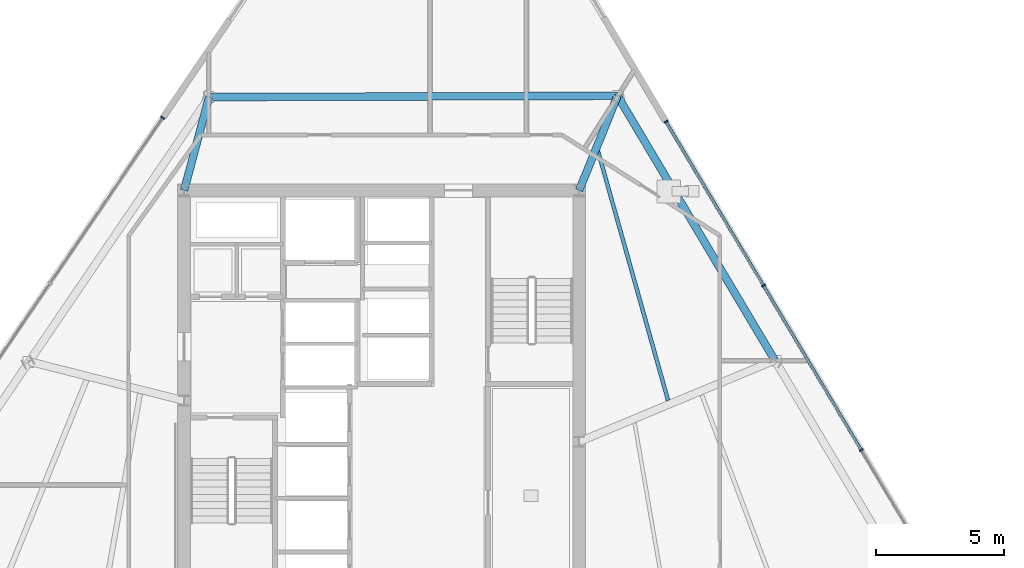
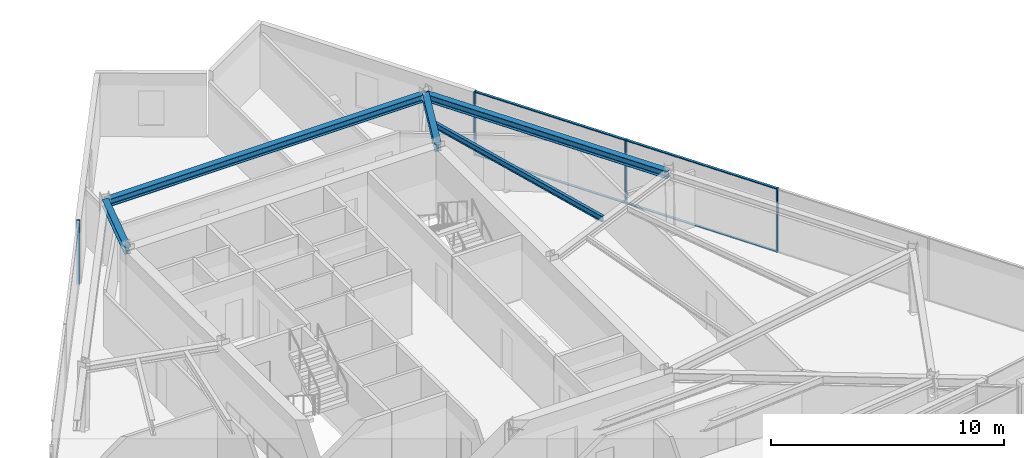
# One storey, part 5 of 12: 8 members, 5 beams, 2 elements without a shape of their own.
"""IFC4 building model written with IfcOpenShell, lengths in metres."""

from ifc_helpers import new_model, si_unit, direction, frame, origin, origin_2d, place, context, subcontext, project, spatial, rectangle, i_section, extrude, material, material_profile, profile_set, type_object, element, aggregate, save


model = new_model("IFC4")

# Units and contexts
model_context = context("Model", 3, precision=1e-05, world=origin(), true_north=direction((0.0, 1.0)))
body_context = subcontext(model_context, "Body", "Model", "MODEL_VIEW")
ifc_project = project(units=[si_unit("LENGTHUNIT", "METRE"), si_unit("AREAUNIT", "SQUARE_METRE"), si_unit("VOLUMEUNIT", "CUBIC_METRE"), si_unit("PLANEANGLEUNIT", "RADIAN"), si_unit("MASSUNIT", "GRAM", prefix="KILO")], contexts=[model_context])

# Site, building, storey
site_placement = place(None, origin())
site = spatial("IfcSite", under=ifc_project, at=site_placement, CompositionType="ELEMENT")
building_placement = place(site_placement, origin())
building = spatial("IfcBuilding", under=site, at=building_placement, Name="Savorim Split Tower", CompositionType="ELEMENT")
storey_placement = place(building_placement, frame((0.0, 0.0, 171.0)))
storey = spatial("IfcBuildingStorey", under=building, at=storey_placement, Name="L45", CompositionType="ELEMENT", Elevation=171.0)

# Beams
ifc_material_1 = material(Name="Steel S355", Category="steel")
ifc_material_profile_1 = material_profile(ifc_material_1, i_section(OverallWidth=0.14990234375, OverallDepth=0.300048828125, WebThickness=0.007080078125, FlangeThickness=0.0107421875, FilletRadius=0.014892578125, at=origin_2d()), Name="IPE 300")
ifc_profile_set_1 = profile_set([ifc_material_profile_1], Name="Steel S355")
beam_type_1 = type_object("IfcBeamType", Name="BM-JST-IPE300", PredefinedType="JOIST", material=ifc_profile_set_1)
beam_1_placement = place(storey_placement, frame((11.164306640625, 2.014892578125, 3.199951171875), z_axis=(-0.270518121362, 0.962714883034, 0.0), x_axis=(-0.962714883034, -0.270518121362, 0.0)))
element("IfcBeam", 1, at=beam_1_placement, inside=storey, type_object=beam_type_1, Name="L45 Secondary Floor Joist JS-07", PredefinedType="JOIST", context=body_context, shape_type="SweptSolid", body=[
    extrude(i_section(OverallWidth=0.14990234375, OverallDepth=0.300048828125, WebThickness=0.007080078125, FlangeThickness=0.0107421875, FilletRadius=0.014892578125, at=origin_2d()), origin(), (0.0, 0.0, 1.0), 10.1025390625),
])
ifc_material_profile_2 = material_profile(ifc_material_1, i_section(OverallWidth=0.300048828125, OverallDepth=0.360107421875, WebThickness=0.012451171875, FlangeThickness=0.0224609375, FilletRadius=0.027099609375, at=origin_2d()), Name="HEB 360")
ifc_profile_set_2 = profile_set([ifc_material_profile_2], Name="Steel S355")
beam_type_2 = type_object("IfcBeamType", Name="BM-PRI-HEB360", PredefinedType="BEAM", material=ifc_profile_set_2)
beam_2_placement = place(storey_placement, frame((9.19580078125, 13.88427734375, 3.169921875), z_axis=(-0.376181061338, -0.926546172131, 0.0), x_axis=(0.926546172131, -0.376181061338, 0.0)))
element("IfcBeam", 2, at=beam_2_placement, inside=storey, type_object=beam_type_2, Name="L45 Primary Floor Girder RG-07", PredefinedType="BEAM", context=body_context, shape_type="SweptSolid", body=[
    extrude(i_section(OverallWidth=0.300048828125, OverallDepth=0.360107421875, WebThickness=0.012451171875, FlangeThickness=0.0224609375, FilletRadius=0.027099609375, at=origin_2d()), origin(), (0.0, 0.0, 1.0), 3.976318359375),
])
beam_3_placement = place(storey_placement, frame((-6.72509765625, 13.83544921875, 3.169921875), z_axis=(-0.258998693397, -0.965877671767, 0.0), x_axis=(0.965877671767, -0.258998693397, 0.0)))
element("IfcBeam", 3, at=beam_3_placement, inside=storey, type_object=beam_type_2, Name="L45 Primary Floor Girder RG-08", PredefinedType="BEAM", context=body_context, shape_type="SweptSolid", body=[
    extrude(i_section(OverallWidth=0.300048828125, OverallDepth=0.360107421875, WebThickness=0.012451171875, FlangeThickness=0.0224609375, FilletRadius=0.027099609375, at=origin_2d()), origin(), (0.0, 0.0, 1.0), 3.763916015625),
])
ifc_material_profile_3 = material_profile(ifc_material_1, i_section(OverallWidth=0.300048828125, OverallDepth=0.389892578125, WebThickness=0.010986328125, FlangeThickness=0.01904296875, FilletRadius=0.027099609375, at=origin_2d()), Name="HEA 400")
ifc_profile_set_3 = profile_set([ifc_material_profile_3], Name="Steel S355")
beam_type_3 = type_object("IfcBeamType", Name="BM-SPN-HEA400", PredefinedType="SPANDREL", material=ifc_profile_set_3)
beam_4_placement = place(storey_placement, frame((15.3251953125, 3.575927734375, 3.155029296875), z_axis=(-0.511081896544, 0.859532020942, 0.0), x_axis=(-0.859532020942, -0.511081896544, 0.0)))
element("IfcBeam", 4, at=beam_4_placement, inside=storey, type_object=beam_type_3, Name="L45 Perimeter Spandrel Beam 6", PredefinedType="SPANDREL", context=body_context, shape_type="SweptSolid", body=[
    extrude(i_section(OverallWidth=0.300048828125, OverallDepth=0.389892578125, WebThickness=0.010986328125, FlangeThickness=0.01904296875, FilletRadius=0.027099609375, at=origin_2d()), origin(), (0.0, 0.0, 1.0), 11.992919921875),
])
beam_5_placement = place(storey_placement, frame((9.19580078125, 13.88427734375, 3.155029296875), z_axis=(-0.999995297033, -0.003066905775, 0.0), x_axis=(0.003066905775, -0.999995297033, 0.0)))
element("IfcBeam", 5, at=beam_5_placement, inside=storey, type_object=beam_type_3, Name="L45 Perimeter Spandrel Beam 7", PredefinedType="SPANDREL", context=body_context, shape_type="SweptSolid", body=[
    extrude(i_section(OverallWidth=0.300048828125, OverallDepth=0.389892578125, WebThickness=0.010986328125, FlangeThickness=0.01904296875, FilletRadius=0.027099609375, at=origin_2d()), origin(), (0.0, 0.0, 1.0), 15.9208984375),
])

# Curtain wall, members
ifc_material_2 = material(Name="Dark Ceramic-Fritted Insulated Glass", Category="glass")
curtain_wall_type = type_object("IfcCurtainWallType", Name="CW-TWR-FRIT-B", PredefinedType="NOTDEFINED", material=ifc_material_2)
curtain_wall_1_placement = place(storey_placement, origin())
curtain_wall_1 = element("IfcCurtainWall", 6, at=curtain_wall_1_placement, inside=storey, type_object=curtain_wall_type, Name="L45 Curtain Wall CW-L45-EAST", PredefinedType="NOTDEFINED")
ifc_material_3 = material(Name="Charcoal Anodised Aluminium", Category="aluminium")
ifc_material_profile_4 = material_profile(ifc_material_3, rectangle(XDim=0.159912109375, YDim=0.06005859375, at=origin_2d()), Name="ALU-M 160x60")
ifc_profile_set_4 = profile_set([ifc_material_profile_4], Name="Charcoal Anodised Aluminium")
member_type_1 = type_object("IfcMemberType", Name="CWM-160x60", PredefinedType="MULLION", material=ifc_profile_set_4)
member_1_placement = place(storey_placement, frame((18.6962890625, 0.07275390625, 0.0), z_axis=(0.0, 0.0, 1.0), x_axis=(-0.85952495128, -0.511093786039, 0.0)))
member_1 = element("IfcMember", 7, at=member_1_placement, type_object=member_type_1, Name="CW-03 mullion 3", PredefinedType="MULLION", context=body_context, shape_type="SweptSolid", body=[
    extrude(rectangle(XDim=0.159912109375, YDim=0.06005859375, at=origin_2d()), origin(), (0.0, 0.0, 1.0), 3.35009765625),
])
member_2_placement = place(storey_placement, frame((14.8818359375, 6.48779296875, 0.0), z_axis=(0.0, 0.0, 1.0), x_axis=(-0.85952495128, -0.511093786039, 0.0)))
member_2 = element("IfcMember", 8, at=member_2_placement, type_object=member_type_1, Name="CW-03 mullion 4", PredefinedType="MULLION", context=body_context, shape_type="SweptSolid", body=[
    extrude(rectangle(XDim=0.159912109375, YDim=0.06005859375, at=origin_2d()), origin(), (0.0, 0.0, 1.0), 3.35009765625),
])
member_3_placement = place(storey_placement, frame((11.08251953125, 12.877197265625, 0.0), z_axis=(0.0, 0.0, 1.0), x_axis=(-0.85952495128, -0.511093786039, 0.0)))
member_3 = element("IfcMember", 9, at=member_3_placement, type_object=member_type_1, Name="CW-03 mullion 5", PredefinedType="MULLION", context=body_context, shape_type="SweptSolid", body=[
    extrude(rectangle(XDim=0.159912109375, YDim=0.06005859375, at=origin_2d()), origin(), (0.0, 0.0, 1.0), 3.35009765625),
])

# Curtain wall, member
curtain_wall_2_placement = place(storey_placement, origin())
curtain_wall_2 = element("IfcCurtainWall", 10, at=curtain_wall_2_placement, inside=storey, type_object=curtain_wall_type, Name="L45 Curtain Wall CW-L45-WEST", PredefinedType="NOTDEFINED")
member_4_placement = place(storey_placement, frame((-8.533935546875, 13.028564453125, 0.0), z_axis=(0.0, 0.0, 1.0), x_axis=(0.826819248854, -0.562467714384, 0.0)))
member_4 = element("IfcMember", 11, at=member_4_placement, type_object=member_type_1, Name="CW-03 mullion 1", PredefinedType="MULLION", context=body_context, shape_type="SweptSolid", body=[
    extrude(rectangle(XDim=0.159912109375, YDim=0.06005859375, at=origin_2d()), origin(), (0.0, 0.0, 1.0), 3.35009765625),
])
aggregate(curtain_wall_2, [member_4])

# Member
ifc_material_profile_5 = material_profile(ifc_material_3, rectangle(XDim=0.1201171875, YDim=0.050048828125, at=origin_2d()), Name="ALU-T 120x50")
ifc_profile_set_5 = profile_set([ifc_material_profile_5], Name="Charcoal Anodised Aluminium")
member_type_2 = type_object("IfcMemberType", Name="CWT-120x50", PredefinedType="USERDEFINED", material=ifc_profile_set_5)
member_5_placement = place(storey_placement, frame((18.680908203125, 0.0986328125, 0.02490234375), z_axis=(-0.511097121727, 0.859522967792, 0.0), x_axis=(-0.859522967792, -0.511097121727, 0.0)))
member_5 = element("IfcMember", 12, at=member_5_placement, type_object=member_type_2, Name="CW-03 transom 3.1", ObjectType="TRANSOM", PredefinedType="USERDEFINED", context=body_context, shape_type="SweptSolid", body=[
    extrude(rectangle(XDim=0.1201171875, YDim=0.050048828125, at=origin_2d()), origin(), (0.0, 0.0, 1.0), 7.403564453125),
])

member_6_placement = place(storey_placement, frame((18.680908203125, 0.0986328125, 3.324951171875), z_axis=(-0.511097121727, 0.859522967792, 0.0), x_axis=(-0.859522967792, -0.511097121727, 0.0)))
member_6 = element("IfcMember", 13, at=member_6_placement, type_object=member_type_2, Name="CW-03 transom 3.2", ObjectType="TRANSOM", PredefinedType="USERDEFINED", context=body_context, shape_type="SweptSolid", body=[
    extrude(rectangle(XDim=0.1201171875, YDim=0.050048828125, at=origin_2d()), origin(), (0.0, 0.0, 1.0), 7.403564453125),
])

member_7_placement = place(storey_placement, frame((14.866455078125, 6.513671875, 0.02490234375), z_axis=(-0.511097871575, 0.859522521911, 0.0), x_axis=(-0.859522521911, -0.511097871575, 0.0)))
member_7 = element("IfcMember", 14, at=member_7_placement, type_object=member_type_2, Name="CW-03 transom 4.1", ObjectType="TRANSOM", PredefinedType="USERDEFINED", context=body_context, shape_type="SweptSolid", body=[
    extrude(rectangle(XDim=0.1201171875, YDim=0.050048828125, at=origin_2d()), origin(), (0.0, 0.0, 1.0), 7.37353515625),
])

member_8_placement = place(storey_placement, frame((14.866455078125, 6.513671875, 3.324951171875), z_axis=(-0.511097871575, 0.859522521911, 0.0), x_axis=(-0.859522521911, -0.511097871575, 0.0)))
member_8 = element("IfcMember", 15, at=member_8_placement, type_object=member_type_2, Name="CW-03 transom 4.2", ObjectType="TRANSOM", PredefinedType="USERDEFINED", context=body_context, shape_type="SweptSolid", body=[
    extrude(rectangle(XDim=0.1201171875, YDim=0.050048828125, at=origin_2d()), origin(), (0.0, 0.0, 1.0), 7.37353515625),
])

aggregate(curtain_wall_1, [member_1, member_2, member_3, member_5, member_6, member_7, member_8])

save(model, "model.ifc")
